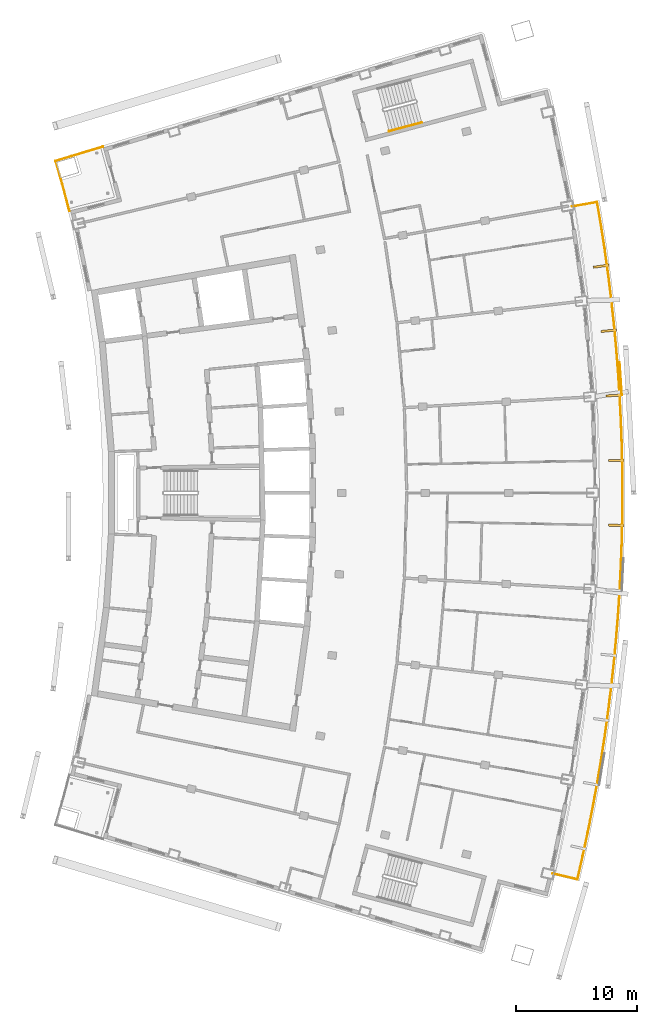
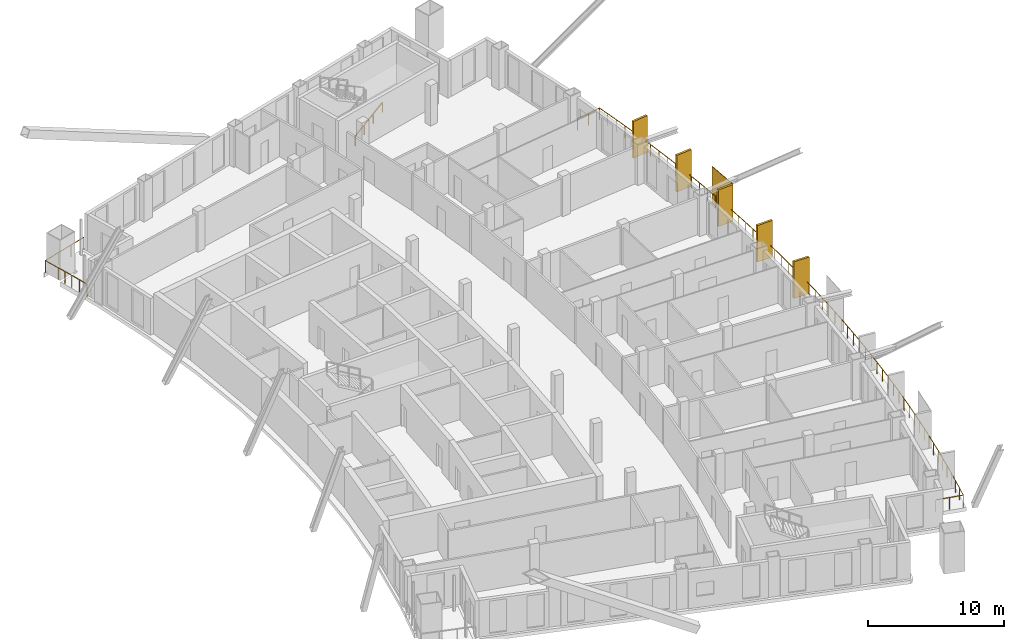
# One storey, part 16 of 17: 6 shading devices, 3 railings.
"""IFC4 building model written with IfcOpenShell, lengths in metres."""

from ifc_helpers import new_model, si_unit, direction, frame, origin, origin_2d, place, context, subcontext, project, spatial, rectangle, extrude, material, layer, layer_set, type_object, element, save


model = new_model("IFC4")

# Units and contexts
model_context = context("Model", 3, precision=1e-05, world=origin(), true_north=direction((0.0, 1.0)))
body_context = subcontext(model_context, "Body", "Model", "MODEL_VIEW")
ifc_project = project(units=[si_unit("LENGTHUNIT", "METRE"), si_unit("AREAUNIT", "SQUARE_METRE"), si_unit("VOLUMEUNIT", "CUBIC_METRE"), si_unit("PLANEANGLEUNIT", "RADIAN"), si_unit("MASSUNIT", "GRAM", prefix="KILO")], contexts=[model_context])

# Site, building, storey
site_placement = place(None, origin())
site = spatial("IfcSite", under=ifc_project, at=site_placement, CompositionType="ELEMENT")
building_placement = place(site_placement, origin())
building = spatial("IfcBuilding", under=site, at=building_placement, Name="Alderwake Tower", CompositionType="ELEMENT")
storey_placement = place(building_placement, frame((0.0, 0.0, 256.39990234375)))
storey = spatial("IfcBuildingStorey", under=building, at=storey_placement, Name="L63", CompositionType="ELEMENT", Elevation=256.39990234375)

# Railings
ifc_material_1 = material(Name="Stainless steel 316 rail and posts", Category="steel")
railing_type_1 = type_object("IfcRailingType", Name="Balcony guard 1100", PredefinedType="GUARDRAIL", material=ifc_material_1)
railing_1_placement = place(storey_placement, frame((53.310302734375, 29.41845703125, 0.0)))
element("IfcRailing", 1, at=railing_1_placement, inside=storey, type_object=railing_type_1, Name="Guard BF03", PredefinedType="GUARDRAIL", context=body_context, shape_type="SweptSolid", body=[
    extrude(rectangle(XDim=0.048095703125, YDim=0.048095703125, at=origin_2d()), frame((0.0, 0.0, 1.076171875), z_axis=(0.973057638874, -0.230561990427, 0.0), x_axis=(0.230561990427, 0.973057638874, 0.0)), (0.0, 0.0, 1.0), 2.099853515625),
    extrude(rectangle(XDim=0.048095703125, YDim=0.048095703125, at=origin_2d()), frame((2.043212890625, -0.484130859375, 1.076171875), z_axis=(0.223814637938, 0.974631729344, 0.0), x_axis=(-0.974631729344, 0.223814637938, 0.0)), (0.0, 0.0, 1.0), 1.928466796875),
    extrude(rectangle(XDim=0.048095703125, YDim=0.048095703125, at=origin_2d()), frame((2.474853515625, 1.3955078125, 1.076171875), z_axis=(0.209890712011, 0.977724853428, 0.0), x_axis=(-0.977724853428, 0.209890712011, 0.0)), (0.0, 0.0, 1.0), 2.028564453125),
    extrude(rectangle(XDim=0.048095703125, YDim=0.048095703125, at=origin_2d()), frame((2.900634765625, 3.37890625, 1.076171875), z_axis=(0.195583748105, 0.980687002808, 0.0), x_axis=(-0.980687002808, 0.195583748105, 0.0)), (0.0, 0.0, 1.0), 2.0283203125),
    extrude(rectangle(XDim=0.048095703125, YDim=0.048095703125, at=origin_2d()), frame((3.29736328125, 5.3681640625, 1.076171875), z_axis=(0.18137379082, 0.983414230121, 0.0), x_axis=(-0.983414230121, 0.18137379082, 0.0)), (0.0, 0.0, 1.0), 2.028564453125),
    extrude(rectangle(XDim=0.048095703125, YDim=0.048095703125, at=origin_2d()), frame((3.665283203125, 7.363037109375, 1.076171875), z_axis=(0.16693570744, 0.985967783237, 0.0), x_axis=(-0.985967783237, 0.16693570744, 0.0)), (0.0, 0.0, 1.0), 2.028564453125),
    extrude(rectangle(XDim=0.048095703125, YDim=0.048095703125, at=origin_2d()), frame((4.00390625, 9.363037109375, 1.076171875), z_axis=(0.152482217915, 0.988306214298, 0.0), x_axis=(-0.988306214298, 0.152482217915, 0.0)), (0.0, 0.0, 1.0), 2.028564453125),
    extrude(rectangle(XDim=0.048095703125, YDim=0.048095703125, at=origin_2d()), frame((4.313232421875, 11.367919921875, 1.076171875), z_axis=(0.13805051548, 0.990425189086, 0.0), x_axis=(-0.990425189086, 0.13805051548, 0.0)), (0.0, 0.0, 1.0), 2.028564453125),
    extrude(rectangle(XDim=0.048095703125, YDim=0.048095703125, at=origin_2d()), frame((4.59326171875, 13.376953125, 1.076171875), z_axis=(0.123590385512, 0.992333319308, 0.0), x_axis=(-0.992333319308, 0.123590385512, 0.0)), (0.0, 0.0, 1.0), 2.02880859375),
    extrude(rectangle(XDim=0.048095703125, YDim=0.048095703125, at=origin_2d()), frame((4.843994140625, 15.39013671875, 1.076171875), z_axis=(0.109163290286, 0.994023830727, 0.0), x_axis=(-0.994023830727, 0.109163290286, 0.0)), (0.0, 0.0, 1.0), 2.028564453125),
    extrude(rectangle(XDim=0.048095703125, YDim=0.048095703125, at=origin_2d()), frame((5.0654296875, 17.406494140625, 1.076171875), z_axis=(0.094723893114, 0.995503583154, 0.0), x_axis=(-0.995503583154, 0.094723893114, 0.0)), (0.0, 0.0, 1.0), 2.0283203125),
    extrude(rectangle(XDim=0.048095703125, YDim=0.048095703125, at=origin_2d()), frame((5.257568359375, 19.42578125, 1.076171875), z_axis=(0.080156604703, 0.996782282508, 0.0), x_axis=(-0.996782282508, 0.080156604703, 0.0)), (0.0, 0.0, 1.0), 2.028564453125),
    extrude(rectangle(XDim=0.048095703125, YDim=0.048095703125, at=origin_2d()), frame((5.420166015625, 21.44775390625, 1.076171875), z_axis=(0.065472533863, 0.997854371795, 0.0), x_axis=(-0.997854371795, 0.065472533863, 0.0)), (0.0, 0.0, 1.0), 2.028564453125),
    extrude(rectangle(XDim=0.048095703125, YDim=0.048095703125, at=origin_2d()), frame((5.552978515625, 23.471923828125, 1.076171875), z_axis=(0.051030076832, 0.998697116877, 0.0), x_axis=(-0.998697116877, 0.051030076832, 0.0)), (0.0, 0.0, 1.0), 2.028564453125),
    extrude(rectangle(XDim=0.048095703125, YDim=0.048095703125, at=origin_2d()), frame((5.656494140625, 25.497802734375, 1.076171875), z_axis=(0.036464173068, 0.999334960903, 0.0), x_axis=(-0.999334960903, 0.036464173068, 0.0)), (0.0, 0.0, 1.0), 2.02880859375),
    extrude(rectangle(XDim=0.048095703125, YDim=0.048095703125, at=origin_2d()), frame((5.73046875, 27.525146484375, 1.076171875), z_axis=(0.021906612556, 0.999760021368, 0.0), x_axis=(-0.999760021368, 0.021906612556, 0.0)), (0.0, 0.0, 1.0), 2.0283203125),
    extrude(rectangle(XDim=0.048095703125, YDim=0.048095703125, at=origin_2d()), frame((5.77490234375, 29.552978515625, 1.076171875), z_axis=(0.007341239164, 0.999973052741, 0.0), x_axis=(-0.999973052741, 0.007341239164, 0.0)), (0.0, 0.0, 1.0), 2.028564453125),
    extrude(rectangle(XDim=0.048095703125, YDim=0.048095703125, at=origin_2d()), frame((5.789794921875, 31.58154296875, 1.076171875), z_axis=(-0.007341239164, 0.999973052741, 0.0), x_axis=(-0.999973052741, -0.007341239164, 0.0)), (0.0, 0.0, 1.0), 2.028564453125),
    extrude(rectangle(XDim=0.048095703125, YDim=0.048095703125, at=origin_2d()), frame((5.77490234375, 33.610107421875, 1.076171875), z_axis=(-0.021906612556, 0.999760021368, 0.0), x_axis=(-0.999760021368, -0.021906612556, 0.0)), (0.0, 0.0, 1.0), 2.0283203125),
    extrude(rectangle(XDim=0.048095703125, YDim=0.048095703125, at=origin_2d()), frame((5.73046875, 35.637939453125, 1.076171875), z_axis=(-0.036464173068, 0.999334960903, 0.0), x_axis=(-0.999334960903, -0.036464173068, 0.0)), (0.0, 0.0, 1.0), 2.02880859375),
    extrude(rectangle(XDim=0.048095703125, YDim=0.048095703125, at=origin_2d()), frame((5.656494140625, 37.665283203125, 1.076171875), z_axis=(-0.051030076832, 0.998697116877, 0.0), x_axis=(-0.998697116877, -0.051030076832, 0.0)), (0.0, 0.0, 1.0), 2.028564453125),
    extrude(rectangle(XDim=0.048095703125, YDim=0.048095703125, at=origin_2d()), frame((5.552978515625, 39.691162109375, 1.076171875), z_axis=(-0.065472533863, 0.997854371795, 0.0), x_axis=(-0.997854371795, -0.065472533863, 0.0)), (0.0, 0.0, 1.0), 2.028564453125),
    extrude(rectangle(XDim=0.048095703125, YDim=0.048095703125, at=origin_2d()), frame((5.420166015625, 41.71533203125, 1.076171875), z_axis=(-0.080156604703, 0.996782282508, 0.0), x_axis=(-0.996782282508, -0.080156604703, 0.0)), (0.0, 0.0, 1.0), 2.028564453125),
    extrude(rectangle(XDim=0.048095703125, YDim=0.048095703125, at=origin_2d()), frame((5.257568359375, 43.7373046875, 1.076171875), z_axis=(-0.094723893114, 0.995503583154, 0.0), x_axis=(-0.995503583154, -0.094723893114, 0.0)), (0.0, 0.0, 1.0), 2.0283203125),
    extrude(rectangle(XDim=0.048095703125, YDim=0.048095703125, at=origin_2d()), frame((5.0654296875, 45.756591796875, 1.076171875), z_axis=(-0.109163290286, 0.994023830727, 0.0), x_axis=(-0.994023830727, -0.109163290286, 0.0)), (0.0, 0.0, 1.0), 2.028564453125),
    extrude(rectangle(XDim=0.048095703125, YDim=0.048095703125, at=origin_2d()), frame((4.843994140625, 47.77294921875, 1.076171875), z_axis=(-0.123590385512, 0.992333319308, 0.0), x_axis=(-0.992333319308, -0.123590385512, 0.0)), (0.0, 0.0, 1.0), 2.02880859375),
    extrude(rectangle(XDim=0.048095703125, YDim=0.048095703125, at=origin_2d()), frame((4.59326171875, 49.7861328125, 1.076171875), z_axis=(-0.13805051548, 0.990425189086, 0.0), x_axis=(-0.990425189086, -0.13805051548, 0.0)), (0.0, 0.0, 1.0), 2.028564453125),
    extrude(rectangle(XDim=0.048095703125, YDim=0.048095703125, at=origin_2d()), frame((4.313232421875, 51.795166015625, 1.076171875), z_axis=(-0.152482217915, 0.988306214298, 0.0), x_axis=(-0.988306214298, -0.152482217915, 0.0)), (0.0, 0.0, 1.0), 2.028564453125),
    extrude(rectangle(XDim=0.048095703125, YDim=0.048095703125, at=origin_2d()), frame((4.00390625, 53.800048828125, 1.076171875), z_axis=(-0.16659512263, 0.986025387663, 0.0), x_axis=(-0.986025387663, -0.16659512263, 0.0)), (0.0, 0.0, 1.0), 1.928466796875),
    extrude(rectangle(XDim=0.048095703125, YDim=0.048095703125, at=origin_2d()), frame((3.6826171875, 55.70166015625, 1.076171875), z_axis=(-0.984844352562, -0.173440483242, 0.0), x_axis=(0.173440483242, -0.984844352562, 0.0)), (0.0, 0.0, 1.0), 2.10009765625),
    extrude(rectangle(XDim=0.0419921875, YDim=0.0419921875, at=origin_2d()), frame((0.0, 0.0, 0.0), z_axis=(0.0, 0.0, 1.0), x_axis=(0.973057638874, -0.230561990427, 0.0)), (0.0, 0.0, 1.0), 1.052001953125),
    extrude(rectangle(XDim=0.0419921875, YDim=0.0419921875, at=origin_2d()), frame((1.021484375, -0.2421875, 0.0), z_axis=(0.0, 0.0, 1.0), x_axis=(0.973057638874, -0.230561990427, 0.0)), (0.0, 0.0, 1.0), 1.052001953125),
    extrude(rectangle(XDim=0.0419921875, YDim=0.0419921875, at=origin_2d()), frame((2.043212890625, -0.484130859375, 0.0), z_axis=(0.0, 0.0, 1.0), x_axis=(0.223814637938, 0.974631729344, 0.0)), (0.0, 0.0, 1.0), 1.052001953125),
    extrude(rectangle(XDim=0.0419921875, YDim=0.0419921875, at=origin_2d()), frame((2.259033203125, 0.45556640625, 0.0), z_axis=(0.0, 0.0, 1.0), x_axis=(0.223814637938, 0.974631729344, 0.0)), (0.0, 0.0, 1.0), 1.052001953125),
    extrude(rectangle(XDim=0.0419921875, YDim=0.0419921875, at=origin_2d()), frame((2.474853515625, 1.3955078125, 0.0), z_axis=(0.0, 0.0, 1.0), x_axis=(0.209890712011, 0.977724853428, 0.0)), (0.0, 0.0, 1.0), 1.052001953125),
    extrude(rectangle(XDim=0.0419921875, YDim=0.0419921875, at=origin_2d()), frame((2.687744140625, 2.38720703125, 0.0), z_axis=(0.0, 0.0, 1.0), x_axis=(0.209890712011, 0.977724853428, 0.0)), (0.0, 0.0, 1.0), 1.052001953125),
    extrude(rectangle(XDim=0.0419921875, YDim=0.0419921875, at=origin_2d()), frame((2.900634765625, 3.37890625, 0.0), z_axis=(0.0, 0.0, 1.0), x_axis=(0.195583748105, 0.980687002808, 0.0)), (0.0, 0.0, 1.0), 1.052001953125),
    extrude(rectangle(XDim=0.0419921875, YDim=0.0419921875, at=origin_2d()), frame((3.09912109375, 4.37353515625, 0.0), z_axis=(0.0, 0.0, 1.0), x_axis=(0.195583748105, 0.980687002808, 0.0)), (0.0, 0.0, 1.0), 1.052001953125),
    extrude(rectangle(XDim=0.0419921875, YDim=0.0419921875, at=origin_2d()), frame((3.29736328125, 5.3681640625, 0.0), z_axis=(0.0, 0.0, 1.0), x_axis=(0.18137379082, 0.983414230121, 0.0)), (0.0, 0.0, 1.0), 1.052001953125),
    extrude(rectangle(XDim=0.0419921875, YDim=0.0419921875, at=origin_2d()), frame((3.4814453125, 6.36572265625, 0.0), z_axis=(0.0, 0.0, 1.0), x_axis=(0.18137379082, 0.983414230121, 0.0)), (0.0, 0.0, 1.0), 1.052001953125),
    extrude(rectangle(XDim=0.0419921875, YDim=0.0419921875, at=origin_2d()), frame((3.665283203125, 7.363037109375, 0.0), z_axis=(0.0, 0.0, 1.0), x_axis=(0.16693570744, 0.985967783237, 0.0)), (0.0, 0.0, 1.0), 1.052001953125),
    extrude(rectangle(XDim=0.0419921875, YDim=0.0419921875, at=origin_2d()), frame((3.83447265625, 8.363037109375, 0.0), z_axis=(0.0, 0.0, 1.0), x_axis=(0.16693570744, 0.985967783237, 0.0)), (0.0, 0.0, 1.0), 1.052001953125),
    extrude(rectangle(XDim=0.0419921875, YDim=0.0419921875, at=origin_2d()), frame((4.00390625, 9.363037109375, 0.0), z_axis=(0.0, 0.0, 1.0), x_axis=(0.152482217915, 0.988306214298, 0.0)), (0.0, 0.0, 1.0), 1.052001953125),
    extrude(rectangle(XDim=0.0419921875, YDim=0.0419921875, at=origin_2d()), frame((4.15869140625, 10.365478515625, 0.0), z_axis=(0.0, 0.0, 1.0), x_axis=(0.152482217915, 0.988306214298, 0.0)), (0.0, 0.0, 1.0), 1.052001953125),
    extrude(rectangle(XDim=0.0419921875, YDim=0.0419921875, at=origin_2d()), frame((4.313232421875, 11.367919921875, 0.0), z_axis=(0.0, 0.0, 1.0), x_axis=(0.13805051548, 0.990425189086, 0.0)), (0.0, 0.0, 1.0), 1.052001953125),
    extrude(rectangle(XDim=0.0419921875, YDim=0.0419921875, at=origin_2d()), frame((4.453125, 12.37255859375, 0.0), z_axis=(0.0, 0.0, 1.0), x_axis=(0.13805051548, 0.990425189086, 0.0)), (0.0, 0.0, 1.0), 1.052001953125),
    extrude(rectangle(XDim=0.0419921875, YDim=0.0419921875, at=origin_2d()), frame((4.59326171875, 13.376953125, 0.0), z_axis=(0.0, 0.0, 1.0), x_axis=(0.123590385512, 0.992333319308, 0.0)), (0.0, 0.0, 1.0), 1.052001953125),
    extrude(rectangle(XDim=0.0419921875, YDim=0.0419921875, at=origin_2d()), frame((4.71875, 14.383544921875, 0.0), z_axis=(0.0, 0.0, 1.0), x_axis=(0.123590385512, 0.992333319308, 0.0)), (0.0, 0.0, 1.0), 1.052001953125),
    extrude(rectangle(XDim=0.0419921875, YDim=0.0419921875, at=origin_2d()), frame((4.843994140625, 15.39013671875, 0.0), z_axis=(0.0, 0.0, 1.0), x_axis=(0.109163290286, 0.994023830727, 0.0)), (0.0, 0.0, 1.0), 1.052001953125),
    extrude(rectangle(XDim=0.0419921875, YDim=0.0419921875, at=origin_2d()), frame((4.95458984375, 16.3984375, 0.0), z_axis=(0.0, 0.0, 1.0), x_axis=(0.109163290286, 0.994023830727, 0.0)), (0.0, 0.0, 1.0), 1.052001953125),
    extrude(rectangle(XDim=0.0419921875, YDim=0.0419921875, at=origin_2d()), frame((5.0654296875, 17.406494140625, 0.0), z_axis=(0.0, 0.0, 1.0), x_axis=(0.094723893114, 0.995503583154, 0.0)), (0.0, 0.0, 1.0), 1.052001953125),
    extrude(rectangle(XDim=0.0419921875, YDim=0.0419921875, at=origin_2d()), frame((5.16162109375, 18.416015625, 0.0), z_axis=(0.0, 0.0, 1.0), x_axis=(0.094723893114, 0.995503583154, 0.0)), (0.0, 0.0, 1.0), 1.052001953125),
    extrude(rectangle(XDim=0.0419921875, YDim=0.0419921875, at=origin_2d()), frame((5.257568359375, 19.42578125, 0.0), z_axis=(0.0, 0.0, 1.0), x_axis=(0.080156604703, 0.996782282508, 0.0)), (0.0, 0.0, 1.0), 1.052001953125),
    extrude(rectangle(XDim=0.0419921875, YDim=0.0419921875, at=origin_2d()), frame((5.3388671875, 20.436767578125, 0.0), z_axis=(0.0, 0.0, 1.0), x_axis=(0.080156604703, 0.996782282508, 0.0)), (0.0, 0.0, 1.0), 1.052001953125),
    extrude(rectangle(XDim=0.0419921875, YDim=0.0419921875, at=origin_2d()), frame((5.420166015625, 21.44775390625, 0.0), z_axis=(0.0, 0.0, 1.0), x_axis=(0.065472533863, 0.997854371795, 0.0)), (0.0, 0.0, 1.0), 1.052001953125),
    extrude(rectangle(XDim=0.0419921875, YDim=0.0419921875, at=origin_2d()), frame((5.486572265625, 22.4599609375, 0.0), z_axis=(0.0, 0.0, 1.0), x_axis=(0.065472533863, 0.997854371795, 0.0)), (0.0, 0.0, 1.0), 1.052001953125),
    extrude(rectangle(XDim=0.0419921875, YDim=0.0419921875, at=origin_2d()), frame((5.552978515625, 23.471923828125, 0.0), z_axis=(0.0, 0.0, 1.0), x_axis=(0.051030076832, 0.998697116877, 0.0)), (0.0, 0.0, 1.0), 1.052001953125),
    extrude(rectangle(XDim=0.0419921875, YDim=0.0419921875, at=origin_2d()), frame((5.604736328125, 24.48486328125, 0.0), z_axis=(0.0, 0.0, 1.0), x_axis=(0.051030076832, 0.998697116877, 0.0)), (0.0, 0.0, 1.0), 1.052001953125),
    extrude(rectangle(XDim=0.0419921875, YDim=0.0419921875, at=origin_2d()), frame((5.656494140625, 25.497802734375, 0.0), z_axis=(0.0, 0.0, 1.0), x_axis=(0.036464173068, 0.999334960903, 0.0)), (0.0, 0.0, 1.0), 1.052001953125),
    extrude(rectangle(XDim=0.0419921875, YDim=0.0419921875, at=origin_2d()), frame((5.693359375, 26.511474609375, 0.0), z_axis=(0.0, 0.0, 1.0), x_axis=(0.036464173068, 0.999334960903, 0.0)), (0.0, 0.0, 1.0), 1.052001953125),
    extrude(rectangle(XDim=0.0419921875, YDim=0.0419921875, at=origin_2d()), frame((5.73046875, 27.525146484375, 0.0), z_axis=(0.0, 0.0, 1.0), x_axis=(0.021906612556, 0.999760021368, 0.0)), (0.0, 0.0, 1.0), 1.052001953125),
    extrude(rectangle(XDim=0.0419921875, YDim=0.0419921875, at=origin_2d()), frame((5.752685546875, 28.5390625, 0.0), z_axis=(0.0, 0.0, 1.0), x_axis=(0.021906612556, 0.999760021368, 0.0)), (0.0, 0.0, 1.0), 1.052001953125),
    extrude(rectangle(XDim=0.0419921875, YDim=0.0419921875, at=origin_2d()), frame((5.77490234375, 29.552978515625, 0.0), z_axis=(0.0, 0.0, 1.0), x_axis=(0.007341239164, 0.999973052741, 0.0)), (0.0, 0.0, 1.0), 1.052001953125),
    extrude(rectangle(XDim=0.0419921875, YDim=0.0419921875, at=origin_2d()), frame((5.7822265625, 30.5673828125, 0.0), z_axis=(0.0, 0.0, 1.0), x_axis=(0.007341239164, 0.999973052741, 0.0)), (0.0, 0.0, 1.0), 1.052001953125),
    extrude(rectangle(XDim=0.0419921875, YDim=0.0419921875, at=origin_2d()), frame((5.789794921875, 31.58154296875, 0.0), z_axis=(0.0, 0.0, 1.0), x_axis=(-0.007341239164, 0.999973052741, 0.0)), (0.0, 0.0, 1.0), 1.052001953125),
    extrude(rectangle(XDim=0.0419921875, YDim=0.0419921875, at=origin_2d()), frame((5.7822265625, 32.595703125, 0.0), z_axis=(0.0, 0.0, 1.0), x_axis=(-0.007341239164, 0.999973052741, 0.0)), (0.0, 0.0, 1.0), 1.052001953125),
    extrude(rectangle(XDim=0.0419921875, YDim=0.0419921875, at=origin_2d()), frame((5.77490234375, 33.610107421875, 0.0), z_axis=(0.0, 0.0, 1.0), x_axis=(-0.021906612556, 0.999760021368, 0.0)), (0.0, 0.0, 1.0), 1.052001953125),
    extrude(rectangle(XDim=0.0419921875, YDim=0.0419921875, at=origin_2d()), frame((5.752685546875, 34.6240234375, 0.0), z_axis=(0.0, 0.0, 1.0), x_axis=(-0.021906612556, 0.999760021368, 0.0)), (0.0, 0.0, 1.0), 1.052001953125),
    extrude(rectangle(XDim=0.0419921875, YDim=0.0419921875, at=origin_2d()), frame((5.73046875, 35.637939453125, 0.0), z_axis=(0.0, 0.0, 1.0), x_axis=(-0.036464173068, 0.999334960903, 0.0)), (0.0, 0.0, 1.0), 1.052001953125),
    extrude(rectangle(XDim=0.0419921875, YDim=0.0419921875, at=origin_2d()), frame((5.693359375, 36.651611328125, 0.0), z_axis=(0.0, 0.0, 1.0), x_axis=(-0.036464173068, 0.999334960903, 0.0)), (0.0, 0.0, 1.0), 1.052001953125),
    extrude(rectangle(XDim=0.0419921875, YDim=0.0419921875, at=origin_2d()), frame((5.656494140625, 37.665283203125, 0.0), z_axis=(0.0, 0.0, 1.0), x_axis=(-0.051030076832, 0.998697116877, 0.0)), (0.0, 0.0, 1.0), 1.052001953125),
    extrude(rectangle(XDim=0.0419921875, YDim=0.0419921875, at=origin_2d()), frame((5.604736328125, 38.67822265625, 0.0), z_axis=(0.0, 0.0, 1.0), x_axis=(-0.051030076832, 0.998697116877, 0.0)), (0.0, 0.0, 1.0), 1.052001953125),
    extrude(rectangle(XDim=0.0419921875, YDim=0.0419921875, at=origin_2d()), frame((5.552978515625, 39.691162109375, 0.0), z_axis=(0.0, 0.0, 1.0), x_axis=(-0.065472533863, 0.997854371795, 0.0)), (0.0, 0.0, 1.0), 1.052001953125),
    extrude(rectangle(XDim=0.0419921875, YDim=0.0419921875, at=origin_2d()), frame((5.486572265625, 40.703125, 0.0), z_axis=(0.0, 0.0, 1.0), x_axis=(-0.065472533863, 0.997854371795, 0.0)), (0.0, 0.0, 1.0), 1.052001953125),
    extrude(rectangle(XDim=0.0419921875, YDim=0.0419921875, at=origin_2d()), frame((5.420166015625, 41.71533203125, 0.0), z_axis=(0.0, 0.0, 1.0), x_axis=(-0.080156604703, 0.996782282508, 0.0)), (0.0, 0.0, 1.0), 1.052001953125),
    extrude(rectangle(XDim=0.0419921875, YDim=0.0419921875, at=origin_2d()), frame((5.3388671875, 42.726318359375, 0.0), z_axis=(0.0, 0.0, 1.0), x_axis=(-0.080156604703, 0.996782282508, 0.0)), (0.0, 0.0, 1.0), 1.052001953125),
    extrude(rectangle(XDim=0.0419921875, YDim=0.0419921875, at=origin_2d()), frame((5.257568359375, 43.7373046875, 0.0), z_axis=(0.0, 0.0, 1.0), x_axis=(-0.094723893114, 0.995503583154, 0.0)), (0.0, 0.0, 1.0), 1.052001953125),
    extrude(rectangle(XDim=0.0419921875, YDim=0.0419921875, at=origin_2d()), frame((5.16162109375, 44.7470703125, 0.0), z_axis=(0.0, 0.0, 1.0), x_axis=(-0.094723893114, 0.995503583154, 0.0)), (0.0, 0.0, 1.0), 1.052001953125),
    extrude(rectangle(XDim=0.0419921875, YDim=0.0419921875, at=origin_2d()), frame((5.0654296875, 45.756591796875, 0.0), z_axis=(0.0, 0.0, 1.0), x_axis=(-0.109163290286, 0.994023830727, 0.0)), (0.0, 0.0, 1.0), 1.052001953125),
    extrude(rectangle(XDim=0.0419921875, YDim=0.0419921875, at=origin_2d()), frame((4.95458984375, 46.7646484375, 0.0), z_axis=(0.0, 0.0, 1.0), x_axis=(-0.109163290286, 0.994023830727, 0.0)), (0.0, 0.0, 1.0), 1.052001953125),
    extrude(rectangle(XDim=0.0419921875, YDim=0.0419921875, at=origin_2d()), frame((4.843994140625, 47.77294921875, 0.0), z_axis=(0.0, 0.0, 1.0), x_axis=(-0.123590385512, 0.992333319308, 0.0)), (0.0, 0.0, 1.0), 1.052001953125),
    extrude(rectangle(XDim=0.0419921875, YDim=0.0419921875, at=origin_2d()), frame((4.71875, 48.779541015625, 0.0), z_axis=(0.0, 0.0, 1.0), x_axis=(-0.123590385512, 0.992333319308, 0.0)), (0.0, 0.0, 1.0), 1.052001953125),
    extrude(rectangle(XDim=0.0419921875, YDim=0.0419921875, at=origin_2d()), frame((4.59326171875, 49.7861328125, 0.0), z_axis=(0.0, 0.0, 1.0), x_axis=(-0.13805051548, 0.990425189086, 0.0)), (0.0, 0.0, 1.0), 1.052001953125),
    extrude(rectangle(XDim=0.0419921875, YDim=0.0419921875, at=origin_2d()), frame((4.453125, 50.79052734375, 0.0), z_axis=(0.0, 0.0, 1.0), x_axis=(-0.13805051548, 0.990425189086, 0.0)), (0.0, 0.0, 1.0), 1.052001953125),
    extrude(rectangle(XDim=0.0419921875, YDim=0.0419921875, at=origin_2d()), frame((4.313232421875, 51.795166015625, 0.0), z_axis=(0.0, 0.0, 1.0), x_axis=(-0.152482217915, 0.988306214298, 0.0)), (0.0, 0.0, 1.0), 1.052001953125),
    extrude(rectangle(XDim=0.0419921875, YDim=0.0419921875, at=origin_2d()), frame((4.15869140625, 52.797607421875, 0.0), z_axis=(0.0, 0.0, 1.0), x_axis=(-0.152482217915, 0.988306214298, 0.0)), (0.0, 0.0, 1.0), 1.052001953125),
    extrude(rectangle(XDim=0.0419921875, YDim=0.0419921875, at=origin_2d()), frame((4.00390625, 53.800048828125, 0.0), z_axis=(0.0, 0.0, 1.0), x_axis=(-0.16659512263, 0.986025387663, 0.0)), (0.0, 0.0, 1.0), 1.052001953125),
    extrude(rectangle(XDim=0.0419921875, YDim=0.0419921875, at=origin_2d()), frame((3.84326171875, 54.7509765625, 0.0), z_axis=(0.0, 0.0, 1.0), x_axis=(-0.16659512263, 0.986025387663, 0.0)), (0.0, 0.0, 1.0), 1.052001953125),
    extrude(rectangle(XDim=0.0419921875, YDim=0.0419921875, at=origin_2d()), frame((3.6826171875, 55.70166015625, 0.0), z_axis=(0.0, 0.0, 1.0), x_axis=(-0.984844352562, -0.173440483242, 0.0)), (0.0, 0.0, 1.0), 1.052001953125),
    extrude(rectangle(XDim=0.0419921875, YDim=0.0419921875, at=origin_2d()), frame((2.6484375, 55.51953125, 0.0), z_axis=(0.0, 0.0, 1.0), x_axis=(-0.984844352562, -0.173440483242, 0.0)), (0.0, 0.0, 1.0), 1.052001953125),
    extrude(rectangle(XDim=0.0419921875, YDim=0.0419921875, at=origin_2d()), frame((1.6142578125, 55.33740234375, 0.0), z_axis=(0.0, 0.0, 1.0), x_axis=(-0.984844352562, -0.173440483242, 0.0)), (0.0, 0.0, 1.0), 1.052001953125),
])
railing_2_placement = place(storey_placement, frame((13.210693359375, 84.387451171875, 0.0)))
element("IfcRailing", 2, at=railing_2_placement, inside=storey, type_object=railing_type_1, Name="Guard terrace RN", PredefinedType="GUARDRAIL", context=body_context, shape_type="SweptSolid", body=[
    extrude(rectangle(XDim=0.048095703125, YDim=0.048095703125, at=origin_2d()), frame((0.0, 0.0, 1.076171875), z_axis=(-0.251385381433, 0.967887075026, 0.0), x_axis=(-0.967887075026, -0.251385381433, 0.0)), (0.0, 0.0, 1.0), 1.6015625),
    extrude(rectangle(XDim=0.048095703125, YDim=0.048095703125, at=origin_2d()), frame((-0.402587890625, 1.550048828125, 1.076171875), z_axis=(-0.266520638672, 0.963829211615, 0.0), x_axis=(-0.963829211615, -0.266520638672, 0.0)), (0.0, 0.0, 1.0), 1.401611328125),
    extrude(rectangle(XDim=0.048095703125, YDim=0.048095703125, at=origin_2d()), frame((-0.776123046875, 2.90087890625, 1.076171875), z_axis=(-0.280093650878, 0.959972680204, 0.0), x_axis=(-0.959972680204, -0.280093650878, 0.0)), (0.0, 0.0, 1.0), 1.30126953125),
    extrude(rectangle(XDim=0.048095703125, YDim=0.048095703125, at=origin_2d()), frame((-1.140625, 4.150146484375, 1.076171875), z_axis=(0.958066871889, 0.286544706789, 0.0), x_axis=(-0.286544706789, 0.958066871889, 0.0)), (0.0, 0.0, 1.0), 4.099853515625),
    extrude(rectangle(XDim=0.0419921875, YDim=0.0419921875, at=origin_2d()), frame((0.0, 0.0, 0.0), z_axis=(0.0, 0.0, 1.0), x_axis=(-0.251385381433, 0.967887075026, 0.0)), (0.0, 0.0, 1.0), 1.052001953125),
    extrude(rectangle(XDim=0.0419921875, YDim=0.0419921875, at=origin_2d()), frame((-0.201171875, 0.77490234375, 0.0), z_axis=(0.0, 0.0, 1.0), x_axis=(-0.251385381433, 0.967887075026, 0.0)), (0.0, 0.0, 1.0), 1.052001953125),
    extrude(rectangle(XDim=0.0419921875, YDim=0.0419921875, at=origin_2d()), frame((-0.402587890625, 1.550048828125, 0.0), z_axis=(0.0, 0.0, 1.0), x_axis=(-0.266520638672, 0.963829211615, 0.0)), (0.0, 0.0, 1.0), 1.052001953125),
    extrude(rectangle(XDim=0.0419921875, YDim=0.0419921875, at=origin_2d()), frame((-0.58935546875, 2.2255859375, 0.0), z_axis=(0.0, 0.0, 1.0), x_axis=(-0.266520638672, 0.963829211615, 0.0)), (0.0, 0.0, 1.0), 1.052001953125),
    extrude(rectangle(XDim=0.0419921875, YDim=0.0419921875, at=origin_2d()), frame((-0.776123046875, 2.90087890625, 0.0), z_axis=(0.0, 0.0, 1.0), x_axis=(-0.280093650878, 0.959972680204, 0.0)), (0.0, 0.0, 1.0), 1.052001953125),
    extrude(rectangle(XDim=0.0419921875, YDim=0.0419921875, at=origin_2d()), frame((-1.140625, 4.150146484375, 0.0), z_axis=(0.0, 0.0, 1.0), x_axis=(0.958066871889, 0.286544706789, 0.0)), (0.0, 0.0, 1.0), 1.052001953125),
    extrude(rectangle(XDim=0.0419921875, YDim=0.0419921875, at=origin_2d()), frame((0.168701171875, 4.541748046875, 0.0), z_axis=(0.0, 0.0, 1.0), x_axis=(0.958066871889, 0.286544706789, 0.0)), (0.0, 0.0, 1.0), 1.052001953125),
    extrude(rectangle(XDim=0.0419921875, YDim=0.0419921875, at=origin_2d()), frame((1.47802734375, 4.933349609375, 0.0), z_axis=(0.0, 0.0, 1.0), x_axis=(0.958066871889, 0.286544706789, 0.0)), (0.0, 0.0, 1.0), 1.052001953125),
    extrude(rectangle(XDim=0.0419921875, YDim=0.0419921875, at=origin_2d()), frame((2.787353515625, 5.324951171875, 0.0), z_axis=(0.0, 0.0, 1.0), x_axis=(0.958066871889, 0.286544706789, 0.0)), (0.0, 0.0, 1.0), 1.052001953125),
])

# Shading devices
ifc_material_2 = material(Name="Bronze anodised aluminium", Category="aluminium")
ifc_layer_1 = layer(ifc_material_2, 0.179931640625)
ifc_layer_set_1 = layer_set([ifc_layer_1], Name="Facade fin 1300")
shading_device_type_1 = type_object("IfcShadingDeviceType", Name="Facade fin 1300", PredefinedType="USERDEFINED", material=ifc_layer_set_1)
for number, where, z_axis, x_axis, name in (
    (3, (58.573974609375, 58.311279296875, 0.0), (0.0, 0.0, 1.0), (0.999811838809, -0.019398117887, 0.0), "Fin"),
    (4, (58.573974609375, 63.688720703125, 0.0), (0.0, 0.0, 1.0), (0.999811838809, 0.019398117887, 0.0), "Fin"),
    (5, (58.364501953125, 69.07568359375, 0.0), (0.0, 0.0, 1.0), (0.998301080988, 0.058266214038, 0.0), "Fin"),
    (6, (57.94580078125, 74.45068359375, 0.0), (0.0, 0.0, 1.0), (0.995279882363, 0.097046152751, 0.0), "Fin"),
    (7, (57.318359375, 79.805419921875, 0.0), (0.0, 0.0, 1.0), (0.990752577235, 0.135680988728, 0.0), "Fin"),
):
    element("IfcShadingDevice", number, at=place(storey_placement, frame(where, z_axis=z_axis, x_axis=x_axis)), inside=storey, type_object=shading_device_type_1, Name=name, ObjectType="FIN", PredefinedType="USERDEFINED", context=body_context, shape_type="SweptSolid", body=[
        extrude(rectangle(XDim=1.300048828125, YDim=0.179931640625, at=origin_2d()), origin(), (0.0, 0.0, 1.0), 3.280029296875),
    ])
ifc_material_3 = material(Name="Perforated bronze anodised aluminium", Category="aluminium")
ifc_layer_2 = layer(ifc_material_3, 0.050048828125)
ifc_layer_set_2 = layer_set([ifc_layer_2], Name="Perforated screen panel")
shading_device_type_2 = type_object("IfcShadingDeviceType", Name="Perforated screen panel", PredefinedType="USERDEFINED", material=ifc_layer_set_2)
shading_device_placement = place(storey_placement, frame((58.946044921875, 70.469970703125, 0.0), z_axis=(0.0, 0.0, 1.0), x_axis=(0.997685465774, 0.067997877779, 0.0)))
element("IfcShadingDevice", 8, at=shading_device_placement, inside=storey, type_object=shading_device_type_2, Name="Screen panel", ObjectType="SCREEN", PredefinedType="USERDEFINED", context=body_context, shape_type="SweptSolid", body=[
    extrude(rectangle(XDim=0.050048828125, YDim=2.7158203125, at=origin_2d()), origin(), (0.0, 0.0, 1.0), 3.280029296875),
])

# Railing
ifc_material_4 = material(Name="Stainless steel handrail", Category="steel")
railing_type_2 = type_object("IfcRailingType", Name="Stair handrail 900", PredefinedType="HANDRAIL", material=ifc_material_4)
railing_3_placement = place(storey_placement, frame((39.731689453125, 91.002685546875, 0.163818359375)))
element("IfcRailing", 9, at=railing_3_placement, inside=storey, type_object=railing_type_2, Name="L63 ST-A stair handrail 1", PredefinedType="HANDRAIL", context=body_context, shape_type="SweptSolid", body=[
    extrude(rectangle(XDim=0.048095703125, YDim=0.048095703125, at=origin_2d()), frame((0.0, 0.0, 0.8759765625), z_axis=(0.834290631165, 0.222236594766, 0.504549342183), x_axis=(-0.257402139082, 0.966304371715, 0.0)), (0.0, 0.0, 1.0), 3.242919921875),
    extrude(rectangle(XDim=0.0419921875, YDim=0.0419921875, at=origin_2d()), frame((0.0, 0.0, 0.0), z_axis=(0.0, 0.0, 1.0), x_axis=(0.966304371715, 0.257402139082, 0.0)), (0.0, 0.0, 1.0), 0.851806640625),
    extrude(rectangle(XDim=0.0419921875, YDim=0.0419921875, at=origin_2d()), frame((0.90185546875, 0.240234375, 0.54541015625), z_axis=(0.0, 0.0, 1.0), x_axis=(0.966304371715, 0.257402139082, 0.0)), (0.0, 0.0, 1.0), 0.851806640625),
    extrude(rectangle(XDim=0.0419921875, YDim=0.0419921875, at=origin_2d()), frame((1.8037109375, 0.48046875, 1.0908203125), z_axis=(0.0, 0.0, 1.0), x_axis=(0.966304371715, 0.257402139082, 0.0)), (0.0, 0.0, 1.0), 0.851806640625),
    extrude(rectangle(XDim=0.0419921875, YDim=0.0419921875, at=origin_2d()), frame((2.70556640625, 0.720703125, 1.63623046875), z_axis=(0.0, 0.0, 1.0), x_axis=(0.966304371715, 0.257402139082, 0.0)), (0.0, 0.0, 1.0), 0.851806640625),
])

save(model, "model.ifc")
